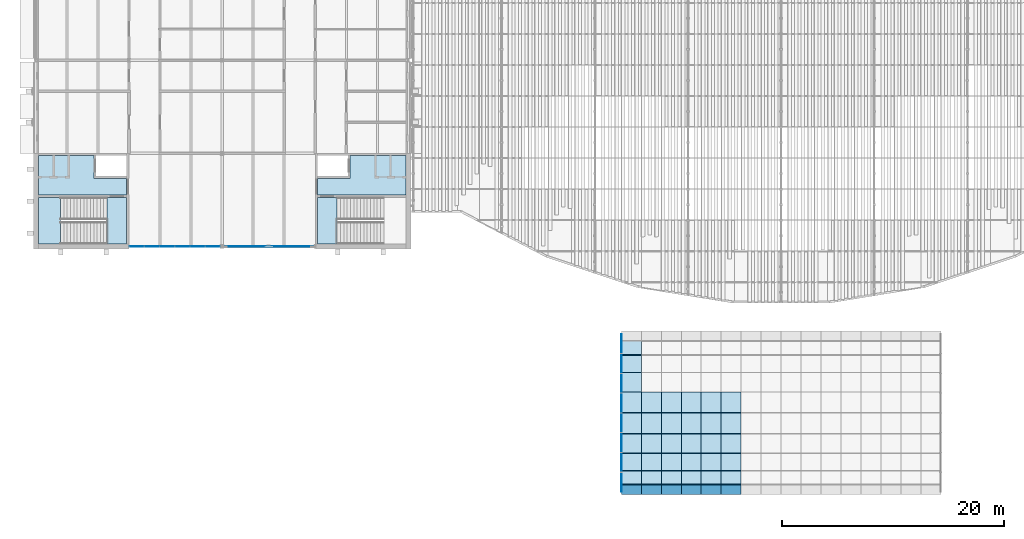
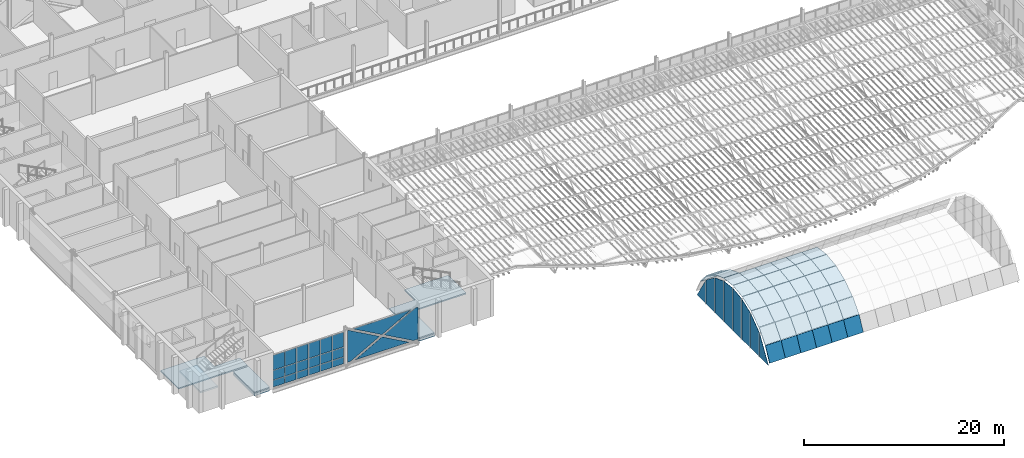
# One storey, part 66 of 129: 69 plates, 7 slabs, 4 elements without a shape of their own.
"""IFC4 building model written with IfcOpenShell, lengths in metres."""

from ifc_helpers import new_model, si_unit, direction, frame, origin, origin_2d, place, context, subcontext, project, spatial, polyline, rectangle, outline, extrude, material, layer, layer_set, type_object, element, aggregate, save


model = new_model("IFC4")

# Units and contexts
model_context = context("Model", 3, precision=1e-05, world=origin(), true_north=direction((0.0, 1.0)))
body_context = subcontext(model_context, "Body", "Model", "MODEL_VIEW")
ifc_project = project(units=[si_unit("LENGTHUNIT", "METRE"), si_unit("AREAUNIT", "SQUARE_METRE"), si_unit("VOLUMEUNIT", "CUBIC_METRE"), si_unit("PLANEANGLEUNIT", "RADIAN"), si_unit("MASSUNIT", "GRAM", prefix="KILO")], contexts=[model_context])

# Site, building, storey
site_placement = place(None, origin())
site = spatial("IfcSite", under=ifc_project, at=site_placement, CompositionType="ELEMENT")
building_placement = place(site_placement, origin())
building = spatial("IfcBuilding", under=site, at=building_placement, Name="Ardhachandra Cancer Care Centre", CompositionType="ELEMENT")
storey_placement = place(building_placement, frame((0.0, 0.0, 4.5)))
storey = spatial("IfcBuildingStorey", under=building, at=storey_placement, Name="L01", CompositionType="ELEMENT", Elevation=4.5)

# Slabs
ifc_material_1 = material(Name="Concrete M40", Category="concrete")
ifc_layer_1 = layer(ifc_material_1, 0.14990234375)
ifc_layer_set_1 = layer_set([ifc_layer_1], Name="Concrete M40")
slab_type_1 = type_object("IfcSlabType", Name="Core floor slab 150", PredefinedType="FLOOR", material=ifc_layer_set_1)
slab_1_placement = place(storey_placement, frame((0.0, 0.0, -0.14990234375)))
element("IfcSlab", 1, at=slab_1_placement, inside=storey, type_object=slab_type_1, Name="Core floor slab K1 L01 1", PredefinedType="FLOOR", context=body_context, shape_type="SweptSolid", body=[
    extrude(outline(polyline([(19.0, 29.625), (17.22509765625, 29.625), (17.22509765625, 33.824951171875), (19.0, 33.824951171875), (19.0, 29.625)])), origin(), (0.0, 0.0, 1.0), 0.14990234375),
])
slab_2_placement = place(storey_placement, frame((0.0, 0.0, -0.14990234375)))
element("IfcSlab", 2, at=slab_2_placement, inside=storey, type_object=slab_type_1, Name="Core floor slab K1 L01 2", PredefinedType="FLOOR", context=body_context, shape_type="SweptSolid", body=[
    extrude(outline(polyline([(11.02490234375, 37.60009765625), (16.050048828125, 37.60009765625), (16.050048828125, 35.75), (16.050048828125, 35.550048828125), (19.0, 35.550048828125), (19.0, 34.02490234375), (11.02490234375, 34.02490234375), (11.02490234375, 37.60009765625)])), origin(), (0.0, 0.0, 1.0), 0.14990234375),
])
slab_3_placement = place(storey_placement, frame((0.0, 0.0, -0.14990234375)))
element("IfcSlab", 3, at=slab_3_placement, inside=storey, type_object=slab_type_1, Name="Core floor slab K2 L01 1", PredefinedType="FLOOR", context=body_context, shape_type="SweptSolid", body=[
    extrude(outline(polyline([(36.199951171875, 29.625), (37.97509765625, 29.625), (37.97509765625, 33.824951171875), (36.199951171875, 33.824951171875), (36.199951171875, 29.625)])), origin(), (0.0, 0.0, 1.0), 0.14990234375),
])
slab_4_placement = place(storey_placement, frame((0.0, 0.0, -0.14990234375)))
element("IfcSlab", 4, at=slab_4_placement, inside=storey, type_object=slab_type_1, Name="Core floor slab K2 L01 2", PredefinedType="FLOOR", context=body_context, shape_type="SweptSolid", body=[
    extrude(outline(polyline([(44.175048828125, 37.60009765625), (39.14990234375, 37.60009765625), (39.14990234375, 35.75), (39.14990234375, 35.550048828125), (36.199951171875, 35.550048828125), (36.199951171875, 34.02490234375), (44.175048828125, 34.02490234375), (44.175048828125, 37.60009765625)])), origin(), (0.0, 0.0, 1.0), 0.14990234375),
])
ifc_material_2 = material(Name="Concrete M40", Category="concrete")
ifc_layer_2 = layer(ifc_material_2, 0.300048828125)
ifc_layer_set_2 = layer_set([ifc_layer_2], Name="Concrete M40")
slab_type_2 = type_object("IfcSlabType", Name="Core stair edge slab 300", PredefinedType="FLOOR", material=ifc_layer_set_2)
slab_5_placement = place(storey_placement, frame((0.0, 0.0, -0.449951171875)))
element("IfcSlab", 5, at=slab_5_placement, inside=storey, type_object=slab_type_2, Name="Core stair edge slab K1 L01", PredefinedType="FLOOR", context=body_context, shape_type="SweptSolid", body=[
    extrude(outline(polyline([(17.22509765625, 29.625), (17.22509765625, 33.824951171875), (19.0, 33.824951171875), (19.0, 29.625), (17.22509765625, 29.625)])), origin(), (0.0, 0.0, 1.0), 0.300048828125),
])
slab_6_placement = place(storey_placement, frame((0.0, 0.0, -0.449951171875)))
element("IfcSlab", 6, at=slab_6_placement, inside=storey, type_object=slab_type_2, Name="Core stair edge slab K2 L01", PredefinedType="FLOOR", context=body_context, shape_type="SweptSolid", body=[
    extrude(outline(polyline([(37.97509765625, 29.625), (37.97509765625, 33.824951171875), (36.199951171875, 33.824951171875), (36.199951171875, 29.625), (37.97509765625, 29.625)])), origin(), (0.0, 0.0, 1.0), 0.300048828125),
])

# Curtain wall, plates
ifc_material_3 = material(Name="Aluminium extrusion", Category="aluminium")
ifc_layer_3 = layer(ifc_material_3, 0.14990234375)
ifc_layer_set_3 = layer_set([ifc_layer_3], Name="Aluminium extrusion")
curtain_wall_type = type_object("IfcCurtainWallType", Name="Curtain wall run", PredefinedType="NOTDEFINED", material=ifc_layer_set_3)
curtain_wall_1_placement = place(storey_placement, origin())
curtain_wall_1 = element("IfcCurtainWall", 7, at=curtain_wall_1_placement, inside=storey, type_object=curtain_wall_type, Name="Curtain wall L01 s/0019200_0029400", PredefinedType="NOTDEFINED")
ifc_material_4 = material(Name="Low-iron double-glazed unit")
ifc_layer_4 = layer(ifc_material_4, 0.028076171875)
ifc_layer_set_4 = layer_set([ifc_layer_4], Name="Low-iron double-glazed unit")
plate_type_1 = type_object("IfcPlateType", Name="Curtain wall glazing 28", PredefinedType="CURTAIN_PANEL", material=ifc_layer_set_4)
plate_1_placement = place(storey_placement, frame((19.902587890625, 29.39990234375, 0.93017578125), z_axis=(0.0, 0.0, 1.0), x_axis=(1.0, 0.0, 0.0)))
plate_1 = element("IfcPlate", 8, at=plate_1_placement, type_object=plate_type_1, Name="CW panel 1.2", PredefinedType="CURTAIN_PANEL", context=body_context, shape_type="SweptSolid", body=[
    extrude(rectangle(XDim=1.284912109375, YDim=0.028076171875, at=origin_2d()), origin(), (0.0, 0.0, 1.0), 1.139892578125),
])
plate_2_placement = place(storey_placement, frame((19.902587890625, 29.39990234375, 2.1298828125), z_axis=(0.0, 0.0, 1.0), x_axis=(1.0, 0.0, 0.0)))
plate_2 = element("IfcPlate", 9, at=plate_2_placement, type_object=plate_type_1, Name="CW panel 1.3", PredefinedType="CURTAIN_PANEL", context=body_context, shape_type="SweptSolid", body=[
    extrude(rectangle(XDim=1.284912109375, YDim=0.028076171875, at=origin_2d()), origin(), (0.0, 0.0, 1.0), 1.803955078125),
])
plate_3_placement = place(storey_placement, frame((21.262451171875, 29.39990234375, 0.93017578125), z_axis=(0.0, 0.0, 1.0), x_axis=(1.0, 0.0, 0.0)))
plate_3 = element("IfcPlate", 10, at=plate_3_placement, type_object=plate_type_1, Name="CW panel 2.2", PredefinedType="CURTAIN_PANEL", context=body_context, shape_type="SweptSolid", body=[
    extrude(rectangle(XDim=1.31494140625, YDim=0.028076171875, at=origin_2d()), origin(), (0.0, 0.0, 1.0), 1.139892578125),
])
plate_4_placement = place(storey_placement, frame((21.262451171875, 29.39990234375, 2.1298828125), z_axis=(0.0, 0.0, 1.0), x_axis=(1.0, 0.0, 0.0)))
plate_4 = element("IfcPlate", 11, at=plate_4_placement, type_object=plate_type_1, Name="CW panel 2.3", PredefinedType="CURTAIN_PANEL", context=body_context, shape_type="SweptSolid", body=[
    extrude(rectangle(XDim=1.31494140625, YDim=0.028076171875, at=origin_2d()), origin(), (0.0, 0.0, 1.0), 1.803955078125),
])
plate_5_placement = place(storey_placement, frame((22.637451171875, 29.39990234375, 0.93017578125), z_axis=(0.0, 0.0, 1.0), x_axis=(1.0, 0.0, 0.0)))
plate_5 = element("IfcPlate", 12, at=plate_5_placement, type_object=plate_type_1, Name="CW panel 3.2", PredefinedType="CURTAIN_PANEL", context=body_context, shape_type="SweptSolid", body=[
    extrude(rectangle(XDim=1.31494140625, YDim=0.028076171875, at=origin_2d()), origin(), (0.0, 0.0, 1.0), 1.139892578125),
])
plate_6_placement = place(storey_placement, frame((22.637451171875, 29.39990234375, 2.1298828125), z_axis=(0.0, 0.0, 1.0), x_axis=(1.0, 0.0, 0.0)))
plate_6 = element("IfcPlate", 13, at=plate_6_placement, type_object=plate_type_1, Name="CW panel 3.3", PredefinedType="CURTAIN_PANEL", context=body_context, shape_type="SweptSolid", body=[
    extrude(rectangle(XDim=1.31494140625, YDim=0.028076171875, at=origin_2d()), origin(), (0.0, 0.0, 1.0), 1.803955078125),
])
plate_7_placement = place(storey_placement, frame((24.012451171875, 29.39990234375, 0.93017578125), z_axis=(0.0, 0.0, 1.0), x_axis=(1.0, 0.0, 0.0)))
plate_7 = element("IfcPlate", 14, at=plate_7_placement, type_object=plate_type_1, Name="CW panel 4.2", PredefinedType="CURTAIN_PANEL", context=body_context, shape_type="SweptSolid", body=[
    extrude(rectangle(XDim=1.31494140625, YDim=0.028076171875, at=origin_2d()), origin(), (0.0, 0.0, 1.0), 1.139892578125),
])
plate_8_placement = place(storey_placement, frame((24.012451171875, 29.39990234375, 2.1298828125), z_axis=(0.0, 0.0, 1.0), x_axis=(1.0, 0.0, 0.0)))
plate_8 = element("IfcPlate", 15, at=plate_8_placement, type_object=plate_type_1, Name="CW panel 4.3", PredefinedType="CURTAIN_PANEL", context=body_context, shape_type="SweptSolid", body=[
    extrude(rectangle(XDim=1.31494140625, YDim=0.028076171875, at=origin_2d()), origin(), (0.0, 0.0, 1.0), 1.803955078125),
])
plate_9_placement = place(storey_placement, frame((25.387451171875, 29.39990234375, 0.93017578125), z_axis=(0.0, 0.0, 1.0), x_axis=(1.0, 0.0, 0.0)))
plate_9 = element("IfcPlate", 16, at=plate_9_placement, type_object=plate_type_1, Name="CW panel 5.2", PredefinedType="CURTAIN_PANEL", context=body_context, shape_type="SweptSolid", body=[
    extrude(rectangle(XDim=1.31494140625, YDim=0.028076171875, at=origin_2d()), origin(), (0.0, 0.0, 1.0), 1.139892578125),
])
plate_10_placement = place(storey_placement, frame((25.387451171875, 29.39990234375, 2.1298828125), z_axis=(0.0, 0.0, 1.0), x_axis=(1.0, 0.0, 0.0)))
plate_10 = element("IfcPlate", 17, at=plate_10_placement, type_object=plate_type_1, Name="CW panel 5.3", PredefinedType="CURTAIN_PANEL", context=body_context, shape_type="SweptSolid", body=[
    extrude(rectangle(XDim=1.31494140625, YDim=0.028076171875, at=origin_2d()), origin(), (0.0, 0.0, 1.0), 1.803955078125),
])
plate_11_placement = place(storey_placement, frame((26.74755859375, 29.39990234375, 0.93017578125), z_axis=(0.0, 0.0, 1.0), x_axis=(1.0, 0.0, 0.0)))
plate_11 = element("IfcPlate", 18, at=plate_11_placement, type_object=plate_type_1, Name="CW panel 6.2", PredefinedType="CURTAIN_PANEL", context=body_context, shape_type="SweptSolid", body=[
    extrude(rectangle(XDim=1.284912109375, YDim=0.028076171875, at=origin_2d()), origin(), (0.0, 0.0, 1.0), 1.139892578125),
])
plate_12_placement = place(storey_placement, frame((26.74755859375, 29.39990234375, 2.1298828125), z_axis=(0.0, 0.0, 1.0), x_axis=(1.0, 0.0, 0.0)))
plate_12 = element("IfcPlate", 19, at=plate_12_placement, type_object=plate_type_1, Name="CW panel 6.3", PredefinedType="CURTAIN_PANEL", context=body_context, shape_type="SweptSolid", body=[
    extrude(rectangle(XDim=1.284912109375, YDim=0.028076171875, at=origin_2d()), origin(), (0.0, 0.0, 1.0), 1.803955078125),
])

curtain_wall_2_placement = place(storey_placement, origin())
curtain_wall_2 = element("IfcCurtainWall", 20, at=curtain_wall_2_placement, inside=storey, type_object=curtain_wall_type, Name="Curtain wall L01 s/0027600_0029400", PredefinedType="NOTDEFINED")
plate_13_placement = place(storey_placement, frame((35.93994140625, 29.39990234375, 3.93408203125), z_axis=(0.0, 1.0, 0.0), x_axis=(0.0, 0.0, -1.0)))
plate_13 = element("IfcPlate", 21, at=plate_13_placement, type_object=plate_type_1, Name="CW panel 1.1", PredefinedType="CURTAIN_PANEL", context=body_context, shape_type="SweptSolid", body=[
    extrude(outline(polyline([(0.0, 0.0), (3.8740234375, 0.0), (3.8740234375, 0.513427734375), (1.998046875, 3.886474609375), (0.0, 0.294189453125), (0.0, 0.0)])), origin(), (0.0, 0.0, 1.0), 0.028076171875),
])
plate_14_placement = place(storey_placement, frame((35.138671875, 29.39990234375, 3.93408203125), z_axis=(0.0, 1.0, 0.0), x_axis=(-0.87391902952, 0.0, -0.486071527497)))
plate_14 = element("IfcPlate", 22, at=plate_14_placement, type_object=plate_type_1, Name="CW panel 1.1", PredefinedType="CURTAIN_PANEL", context=body_context, shape_type="SweptSolid", body=[
    extrude(outline(polyline([(0.0, 0.0), (3.8203125, 0.0), (5.835693359375, 3.245849609375), (0.0, 0.0)])), frame((0.0, 0.0, -0.028076171875)), (0.0, 0.0, 1.0), 0.028076171875),
])
plate_15_placement = place(storey_placement, frame((27.81005859375, 29.39990234375, 0.06005859375), z_axis=(0.0, 1.0, 0.0), x_axis=(0.0, 0.0, 1.0)))
plate_15 = element("IfcPlate", 23, at=plate_15_placement, type_object=plate_type_1, Name="CW panel 1.1", PredefinedType="CURTAIN_PANEL", context=body_context, shape_type="SweptSolid", body=[
    extrude(outline(polyline([(0.0, 0.0), (3.8740234375, 0.0), (3.8740234375, 0.14404296875), (1.8759765625, 3.736328125), (0.0, 0.363525390625), (0.0, 0.0)])), origin(), (0.0, 0.0, 1.0), 0.028076171875),
])
plate_16_placement = place(storey_placement, frame((28.6806640625, 29.39990234375, 0.06005859375), z_axis=(0.0, 1.0, 0.0), x_axis=(0.873934564752, 0.0, 0.486043595299)))
plate_16 = element("IfcPlate", 24, at=plate_16_placement, type_object=plate_type_1, Name="CW panel 1.1", PredefinedType="CURTAIN_PANEL", context=body_context, shape_type="SweptSolid", body=[
    extrude(outline(polyline([(0.0, 0.0), (3.5693359375, 0.0), (5.452392578125, 3.0322265625), (0.0, 0.0)])), frame((0.0, 0.0, -0.028076171875)), (0.0, 0.0, 1.0), 0.028076171875),
])
aggregate(curtain_wall_2, [plate_13, plate_14, plate_15, plate_16])

curtain_wall_3_placement = place(storey_placement, origin())
curtain_wall_3 = element("IfcCurtainWall", 25, at=curtain_wall_3_placement, inside=storey, type_object=curtain_wall_type, Name="Gable glazing w", PredefinedType="NOTDEFINED")
plate_17_placement = place(storey_placement, frame((63.60009765625, 7.302490234375, 0.550048828125), z_axis=(1.0, 0.0, 0.0), x_axis=(0.0, 1.0, 0.0)))
plate_17 = element("IfcPlate", 26, at=plate_17_placement, type_object=plate_type_1, Name="Gable glazing w 1", PredefinedType="CURTAIN_PANEL", context=body_context, shape_type="SweptSolid", body=[
    extrude(outline(polyline([(0.0, 0.0), (1.721923828125, 0.0), (1.721923828125, 2.855712890625), (0.0, 0.049560546875), (0.0, 0.0)])), frame((0.0, 0.0, -0.01416015625)), (0.0, 0.0, 1.0), 0.028076171875),
])
plate_18_placement = place(storey_placement, frame((63.60009765625, 9.08447265625, 0.550048828125), z_axis=(1.0, 0.0, 0.0), x_axis=(0.0, 1.0, 0.0)))
plate_18 = element("IfcPlate", 27, at=plate_18_placement, type_object=plate_type_1, Name="Gable glazing w 2", PredefinedType="CURTAIN_PANEL", context=body_context, shape_type="SweptSolid", body=[
    extrude(outline(polyline([(0.0, 0.0), (1.721923828125, 0.0), (1.721923828125, 4.208740234375), (0.0, 2.916748046875), (0.0, 0.0)])), frame((0.0, 0.0, -0.01416015625)), (0.0, 0.0, 1.0), 0.028076171875),
])
plate_19_placement = place(storey_placement, frame((63.60009765625, 10.8662109375, 0.550048828125), z_axis=(1.0, 0.0, 0.0), x_axis=(0.0, 1.0, 0.0)))
plate_19 = element("IfcPlate", 28, at=plate_19_placement, type_object=plate_type_1, Name="Gable glazing w 3", PredefinedType="CURTAIN_PANEL", context=body_context, shape_type="SweptSolid", body=[
    extrude(outline(polyline([(0.0, 0.0), (1.721923828125, 0.0), (1.721923828125, 4.903564453125), (0.0, 4.2412109375), (0.0, 0.0)])), frame((0.0, 0.0, -0.01416015625)), (0.0, 0.0, 1.0), 0.028076171875),
])
plate_20_placement = place(storey_placement, frame((63.60009765625, 12.648193359375, 0.550048828125), z_axis=(1.0, 0.0, 0.0), x_axis=(0.0, 1.0, 0.0)))
plate_20 = element("IfcPlate", 29, at=plate_20_placement, type_object=plate_type_1, Name="Gable glazing w 4", PredefinedType="CURTAIN_PANEL", context=body_context, shape_type="SweptSolid", body=[
    extrude(outline(polyline([(0.0, 0.0), (1.721923828125, 0.0), (1.721923828125, 5.125732421875), (0.0, 4.918212890625), (0.0, 0.0)])), frame((0.0, 0.0, -0.01416015625)), (0.0, 0.0, 1.0), 0.028076171875),
])
plate_21_placement = place(storey_placement, frame((63.60009765625, 14.429931640625, 0.550048828125), z_axis=(1.0, 0.0, 0.0), x_axis=(0.0, 1.0, 0.0)))
plate_21 = element("IfcPlate", 30, at=plate_21_placement, type_object=plate_type_1, Name="Gable glazing w 5", PredefinedType="CURTAIN_PANEL", context=body_context, shape_type="SweptSolid", body=[
    extrude(outline(polyline([(0.0, 0.0), (1.721923828125, 0.0), (1.721923828125, 4.918212890625), (0.0, 5.125732421875), (0.0, 0.0)])), frame((0.0, 0.0, -0.01416015625)), (0.0, 0.0, 1.0), 0.028076171875),
])
plate_22_placement = place(storey_placement, frame((63.60009765625, 16.2119140625, 0.550048828125), z_axis=(1.0, 0.0, 0.0), x_axis=(0.0, 1.0, 0.0)))
plate_22 = element("IfcPlate", 31, at=plate_22_placement, type_object=plate_type_1, Name="Gable glazing w 6", PredefinedType="CURTAIN_PANEL", context=body_context, shape_type="SweptSolid", body=[
    extrude(outline(polyline([(0.0, 0.0), (1.7216796875, 0.0), (1.7216796875, 4.2412109375), (0.0, 4.903564453125), (0.0, 0.0)])), frame((0.0, 0.0, -0.01416015625)), (0.0, 0.0, 1.0), 0.028076171875),
])
plate_23_placement = place(storey_placement, frame((63.60009765625, 17.99365234375, 0.550048828125), z_axis=(1.0, 0.0, 0.0), x_axis=(0.0, 1.0, 0.0)))
plate_23 = element("IfcPlate", 32, at=plate_23_placement, type_object=plate_type_1, Name="Gable glazing w 7", PredefinedType="CURTAIN_PANEL", context=body_context, shape_type="SweptSolid", body=[
    extrude(outline(polyline([(0.0, 0.0), (1.721923828125, 0.0), (1.721923828125, 2.916748046875), (0.0, 4.208740234375), (0.0, 0.0)])), frame((0.0, 0.0, -0.01416015625)), (0.0, 0.0, 1.0), 0.028076171875),
])
plate_24_placement = place(storey_placement, frame((63.60009765625, 19.775634765625, 0.550048828125), z_axis=(1.0, 0.0, 0.0), x_axis=(0.0, 1.0, 0.0)))
plate_24 = element("IfcPlate", 33, at=plate_24_placement, type_object=plate_type_1, Name="Gable glazing w 8", PredefinedType="CURTAIN_PANEL", context=body_context, shape_type="SweptSolid", body=[
    extrude(outline(polyline([(0.0, 0.0), (1.7216796875, 0.0), (1.7216796875, 0.049560546875), (0.0, 2.855712890625), (0.0, 0.0)])), frame((0.0, 0.0, -0.01416015625)), (0.0, 0.0, 1.0), 0.028076171875),
])
aggregate(curtain_wall_3, [plate_17, plate_18, plate_19, plate_20, plate_21, plate_22, plate_23, plate_24])

# Plate
ifc_material_5 = material(Name="Aluminium composite spandrel panel", Category="aluminium")
ifc_layer_5 = layer(ifc_material_5, 0.028076171875)
ifc_layer_set_5 = layer_set([ifc_layer_5], Name="Aluminium composite spandrel panel")
plate_type_2 = type_object("IfcPlateType", Name="Curtain wall spandrel panel 28", PredefinedType="CURTAIN_PANEL", material=ifc_layer_set_5)
plate_25_placement = place(storey_placement, frame((19.902587890625, 29.39990234375, 0.06005859375), z_axis=(0.0, 0.0, 1.0), x_axis=(1.0, 0.0, 0.0)))
plate_25 = element("IfcPlate", 34, at=plate_25_placement, type_object=plate_type_2, Name="CW panel 1.1", PredefinedType="CURTAIN_PANEL", context=body_context, shape_type="SweptSolid", body=[
    extrude(rectangle(XDim=1.284912109375, YDim=0.028076171875, at=origin_2d()), origin(), (0.0, 0.0, 1.0), 0.81005859375),
])

plate_26_placement = place(storey_placement, frame((21.262451171875, 29.39990234375, 0.06005859375), z_axis=(0.0, 0.0, 1.0), x_axis=(1.0, 0.0, 0.0)))
plate_26 = element("IfcPlate", 35, at=plate_26_placement, type_object=plate_type_2, Name="CW panel 2.1", PredefinedType="CURTAIN_PANEL", context=body_context, shape_type="SweptSolid", body=[
    extrude(rectangle(XDim=1.31494140625, YDim=0.028076171875, at=origin_2d()), origin(), (0.0, 0.0, 1.0), 0.81005859375),
])

plate_27_placement = place(storey_placement, frame((22.637451171875, 29.39990234375, 0.06005859375), z_axis=(0.0, 0.0, 1.0), x_axis=(1.0, 0.0, 0.0)))
plate_27 = element("IfcPlate", 36, at=plate_27_placement, type_object=plate_type_2, Name="CW panel 3.1", PredefinedType="CURTAIN_PANEL", context=body_context, shape_type="SweptSolid", body=[
    extrude(rectangle(XDim=1.31494140625, YDim=0.028076171875, at=origin_2d()), origin(), (0.0, 0.0, 1.0), 0.81005859375),
])

plate_28_placement = place(storey_placement, frame((24.012451171875, 29.39990234375, 0.06005859375), z_axis=(0.0, 0.0, 1.0), x_axis=(1.0, 0.0, 0.0)))
plate_28 = element("IfcPlate", 37, at=plate_28_placement, type_object=plate_type_2, Name="CW panel 4.1", PredefinedType="CURTAIN_PANEL", context=body_context, shape_type="SweptSolid", body=[
    extrude(rectangle(XDim=1.31494140625, YDim=0.028076171875, at=origin_2d()), origin(), (0.0, 0.0, 1.0), 0.81005859375),
])

plate_29_placement = place(storey_placement, frame((25.387451171875, 29.39990234375, 0.06005859375), z_axis=(0.0, 0.0, 1.0), x_axis=(1.0, 0.0, 0.0)))
plate_29 = element("IfcPlate", 38, at=plate_29_placement, type_object=plate_type_2, Name="CW panel 5.1", PredefinedType="CURTAIN_PANEL", context=body_context, shape_type="SweptSolid", body=[
    extrude(rectangle(XDim=1.31494140625, YDim=0.028076171875, at=origin_2d()), origin(), (0.0, 0.0, 1.0), 0.81005859375),
])

plate_30_placement = place(storey_placement, frame((26.74755859375, 29.39990234375, 0.06005859375), z_axis=(0.0, 0.0, 1.0), x_axis=(1.0, 0.0, 0.0)))
plate_30 = element("IfcPlate", 39, at=plate_30_placement, type_object=plate_type_2, Name="CW panel 6.1", PredefinedType="CURTAIN_PANEL", context=body_context, shape_type="SweptSolid", body=[
    extrude(rectangle(XDim=1.284912109375, YDim=0.028076171875, at=origin_2d()), origin(), (0.0, 0.0, 1.0), 0.81005859375),
])

aggregate(curtain_wall_1, [plate_25, plate_1, plate_2, plate_26, plate_3, plate_4, plate_27, plate_5, plate_6, plate_28, plate_7, plate_8, plate_29, plate_9, plate_10, plate_30, plate_11, plate_12])

# Plates
ifc_material_6 = material(Name="Laminated heat-strengthened double-glazed unit")
ifc_layer_6 = layer(ifc_material_6, 0.035888671875)
ifc_layer_set_6 = layer_set([ifc_layer_6], Name="Laminated heat-strengthened double-glazed unit")
plate_type_3 = type_object("IfcPlateType", Name="Gridshell glazing 36", PredefinedType="SHEET", material=ifc_layer_set_6)
for number, where, z_axis, x_axis, name in (
    (40, (63.60009765625, 9.237060546875, 4.019287109375), (0.0, -0.570403184927, 0.821364843797), (1.0, 0.0, 0.0), "Glazed cell P 1.3"),
    (41, (63.60009765625, 10.78369140625, 5.09033203125), (0.0, -0.356164432165, 0.934423296617), (1.0, 0.0, 0.0), "Glazed cell P 1.4"),
    (42, (63.60009765625, 12.54248046875, 5.758056640625), (0.0, -0.121208850648, 0.992627026896), (1.0, 0.0, 0.0), "Glazed cell P 1.5"),
    (43, (63.60009765625, 14.41015625, 5.983642578125), (0.0, 0.121208850648, 0.992627026896), (1.0, 0.0, 0.0), "Glazed cell P 1.6"),
    (44, (63.60009765625, 16.27734375, 5.753173828125), (0.0, 0.356164432165, 0.934423296617), (1.0, 0.0, 0.0), "Glazed cell P 1.7"),
    (45, (63.60009765625, 18.034423828125, 5.080810546875), (0.0, 0.570403184927, 0.821364843797), (1.0, 0.0, 0.0), "Glazed cell P 1.8"),
):
    element("IfcPlate", number, at=place(storey_placement, frame(where, z_axis=z_axis, x_axis=x_axis)), inside=storey, type_object=plate_type_3, Name=name, PredefinedType="SHEET", context=body_context, shape_type="SweptSolid", body=[
        extrude(outline(polyline([(0.0, 0.0), (1.7998046875, 0.0), (1.7998046875, 1.861083984375), (0.0, 1.861083984375), (0.0, 0.0)])), origin(), (0.0, 0.0, 1.0), 0.035888671875),
    ])
for number, where, z_axis, x_axis, name in (
    (46, (65.39990234375, 9.237060546875, 4.019287109375), (0.0, -0.570403184927, 0.821364843797), (1.0, 0.0, 0.0), "Glazed cell P 2.3"),
    (47, (65.39990234375, 10.78369140625, 5.09033203125), (0.0, -0.356164432165, 0.934423296617), (1.0, 0.0, 0.0), "Glazed cell P 2.4"),
    (48, (65.39990234375, 12.54248046875, 5.758056640625), (0.0, -0.121208850648, 0.992627026896), (1.0, 0.0, 0.0), "Glazed cell P 2.5"),
    (49, (65.39990234375, 14.41015625, 5.983642578125), (0.0, 0.121208850648, 0.992627026896), (1.0, 0.0, 0.0), "Glazed cell P 2.6"),
    (50, (67.199951171875, 9.237060546875, 4.019287109375), (0.0, -0.570403184927, 0.821364843797), (1.0, 0.0, 0.0), "Glazed cell P 3.3"),
    (51, (67.199951171875, 10.78369140625, 5.09033203125), (0.0, -0.356164432165, 0.934423296617), (1.0, 0.0, 0.0), "Glazed cell P 3.4"),
    (52, (67.199951171875, 12.54248046875, 5.758056640625), (0.0, -0.121208850648, 0.992627026896), (1.0, 0.0, 0.0), "Glazed cell P 3.5"),
    (53, (67.199951171875, 14.41015625, 5.983642578125), (0.0, 0.121208850648, 0.992627026896), (1.0, 0.0, 0.0), "Glazed cell P 3.6"),
    (54, (69.0, 9.237060546875, 4.019287109375), (0.0, -0.570403184927, 0.821364843797), (1.0, 0.0, 0.0), "Glazed cell P 4.3"),
    (55, (69.0, 10.78369140625, 5.09033203125), (0.0, -0.356164432165, 0.934423296617), (1.0, 0.0, 0.0), "Glazed cell P 4.4"),
    (56, (69.0, 12.54248046875, 5.758056640625), (0.0, -0.121208850648, 0.992627026896), (1.0, 0.0, 0.0), "Glazed cell P 4.5"),
    (57, (69.0, 14.41015625, 5.983642578125), (0.0, 0.121208850648, 0.992627026896), (1.0, 0.0, 0.0), "Glazed cell P 4.6"),
    (58, (70.800048828125, 9.237060546875, 4.019287109375), (0.0, -0.570403184927, 0.821364843797), (1.0, 0.0, 0.0), "Glazed cell P 5.3"),
    (59, (70.800048828125, 10.78369140625, 5.09033203125), (0.0, -0.356164432165, 0.934423296617), (1.0, 0.0, 0.0), "Glazed cell P 5.4"),
    (60, (70.800048828125, 12.54248046875, 5.758056640625), (0.0, -0.121208850648, 0.992627026896), (1.0, 0.0, 0.0), "Glazed cell P 5.5"),
    (61, (70.800048828125, 14.41015625, 5.983642578125), (0.0, 0.121208850648, 0.992627026896), (1.0, 0.0, 0.0), "Glazed cell P 5.6"),
):
    element("IfcPlate", number, at=place(storey_placement, frame(where, z_axis=z_axis, x_axis=x_axis)), inside=storey, type_object=plate_type_3, Name=name, PredefinedType="SHEET", context=body_context, shape_type="SweptSolid", body=[
        extrude(outline(polyline([(0.0, 0.0), (1.800048828125, 0.0), (1.800048828125, 1.861083984375), (0.0, 1.861083984375), (0.0, 0.0)])), origin(), (0.0, 0.0, 1.0), 0.035888671875),
    ])
for number, where, z_axis, x_axis, name in (
    (62, (72.60009765625, 9.237060546875, 4.019287109375), (0.0, -0.570403184927, 0.821364843797), (1.0, 0.0, 0.0), "Glazed cell P 6.3"),
    (63, (72.60009765625, 10.78369140625, 5.09033203125), (0.0, -0.356164432165, 0.934423296617), (1.0, 0.0, 0.0), "Glazed cell P 6.4"),
    (64, (72.60009765625, 12.54248046875, 5.758056640625), (0.0, -0.121208850648, 0.992627026896), (1.0, 0.0, 0.0), "Glazed cell P 6.5"),
    (65, (72.60009765625, 14.41015625, 5.983642578125), (0.0, 0.121208850648, 0.992627026896), (1.0, 0.0, 0.0), "Glazed cell P 6.6"),
):
    element("IfcPlate", number, at=place(storey_placement, frame(where, z_axis=z_axis, x_axis=x_axis)), inside=storey, type_object=plate_type_3, Name=name, PredefinedType="SHEET", context=body_context, shape_type="SweptSolid", body=[
        extrude(outline(polyline([(0.0, 0.0), (1.7998046875, 0.0), (1.7998046875, 1.861083984375), (0.0, 1.861083984375), (0.0, 0.0)])), origin(), (0.0, 0.0, 1.0), 0.035888671875),
    ])
ifc_material_7 = material(Name="Insulated metal roof panel (galvalume skins, PIR core)")
ifc_layer_7 = layer(ifc_material_7, 0.10009765625)
ifc_layer_set_7 = layer_set([ifc_layer_7], Name="Insulated metal roof panel (galvalume skins, PIR core)")
plate_type_4 = type_object("IfcPlateType", Name="Gridshell insulated panel 100", PredefinedType="SHEET", material=ifc_layer_set_7)
plate_31_placement = place(storey_placement, frame((63.60009765625, 7.125244140625, 0.938720703125), z_axis=(0.0, -0.8878259961, 0.460179313582), x_axis=(1.0, 0.0, 0.0)))
element("IfcPlate", 66, at=plate_31_placement, inside=storey, type_object=plate_type_4, Name="Roof cell P 1.1", PredefinedType="SHEET", context=body_context, shape_type="SweptSolid", body=[
    extrude(outline(polyline([(0.0, 0.0), (1.7998046875, 0.0), (1.7998046875, 1.861083984375), (0.0, 1.861083984375), (0.0, 0.0)])), origin(), (0.0, 0.0, 1.0), 0.10009765625),
])
plate_32_placement = place(storey_placement, frame((63.60009765625, 7.9931640625, 2.60791015625), z_axis=(0.0, -0.751095909647, 0.660193103956), x_axis=(1.0, 0.0, 0.0)))
element("IfcPlate", 67, at=plate_32_placement, inside=storey, type_object=plate_type_4, Name="Roof cell P 1.2", PredefinedType="SHEET", context=body_context, shape_type="SweptSolid", body=[
    extrude(outline(polyline([(0.0, 0.0), (1.7998046875, 0.0), (1.7998046875, 1.861328125), (0.0, 1.861328125), (0.0, 0.0)])), origin(), (0.0, 0.0, 1.0), 0.10009765625),
])
plate_33_placement = place(storey_placement, frame((63.60009765625, 19.578125, 4.005859375), z_axis=(0.0, 0.751160956112, 0.66011909381), x_axis=(1.0, 0.0, 0.0)))
element("IfcPlate", 68, at=plate_33_placement, inside=storey, type_object=plate_type_4, Name="Roof cell P 1.9", PredefinedType="SHEET", context=body_context, shape_type="SweptSolid", body=[
    extrude(outline(polyline([(0.0, 0.0), (1.7998046875, 0.0), (1.7998046875, 1.861083984375), (0.0, 1.861083984375), (0.0, 0.0)])), origin(), (0.0, 0.0, 1.0), 0.10009765625),
])
plate_34_placement = place(storey_placement, frame((65.39990234375, 7.125244140625, 0.938720703125), z_axis=(0.0, -0.8878259961, 0.460179313582), x_axis=(1.0, 0.0, 0.0)))
element("IfcPlate", 69, at=plate_34_placement, inside=storey, type_object=plate_type_4, Name="Roof cell P 2.1", PredefinedType="SHEET", context=body_context, shape_type="SweptSolid", body=[
    extrude(outline(polyline([(0.0, 0.0), (1.800048828125, 0.0), (1.800048828125, 1.861083984375), (0.0, 1.861083984375), (0.0, 0.0)])), origin(), (0.0, 0.0, 1.0), 0.10009765625),
])
plate_35_placement = place(storey_placement, frame((65.39990234375, 7.9931640625, 2.60791015625), z_axis=(0.0, -0.751095909647, 0.660193103956), x_axis=(1.0, 0.0, 0.0)))
element("IfcPlate", 70, at=plate_35_placement, inside=storey, type_object=plate_type_4, Name="Roof cell P 2.2", PredefinedType="SHEET", context=body_context, shape_type="SweptSolid", body=[
    extrude(outline(polyline([(0.0, 0.0), (1.800048828125, 0.0), (1.800048828125, 1.861328125), (0.0, 1.861328125), (0.0, 0.0)])), origin(), (0.0, 0.0, 1.0), 0.10009765625),
])
plate_36_placement = place(storey_placement, frame((67.199951171875, 7.125244140625, 0.938720703125), z_axis=(0.0, -0.8878259961, 0.460179313582), x_axis=(1.0, 0.0, 0.0)))
element("IfcPlate", 71, at=plate_36_placement, inside=storey, type_object=plate_type_4, Name="Roof cell P 3.1", PredefinedType="SHEET", context=body_context, shape_type="SweptSolid", body=[
    extrude(outline(polyline([(0.0, 0.0), (1.800048828125, 0.0), (1.800048828125, 1.861083984375), (0.0, 1.861083984375), (0.0, 0.0)])), origin(), (0.0, 0.0, 1.0), 0.10009765625),
])
plate_37_placement = place(storey_placement, frame((67.199951171875, 7.9931640625, 2.60791015625), z_axis=(0.0, -0.751095909647, 0.660193103956), x_axis=(1.0, 0.0, 0.0)))
element("IfcPlate", 72, at=plate_37_placement, inside=storey, type_object=plate_type_4, Name="Roof cell P 3.2", PredefinedType="SHEET", context=body_context, shape_type="SweptSolid", body=[
    extrude(outline(polyline([(0.0, 0.0), (1.800048828125, 0.0), (1.800048828125, 1.861328125), (0.0, 1.861328125), (0.0, 0.0)])), origin(), (0.0, 0.0, 1.0), 0.10009765625),
])
plate_38_placement = place(storey_placement, frame((69.0, 7.125244140625, 0.938720703125), z_axis=(0.0, -0.8878259961, 0.460179313582), x_axis=(1.0, 0.0, 0.0)))
element("IfcPlate", 73, at=plate_38_placement, inside=storey, type_object=plate_type_4, Name="Roof cell P 4.1", PredefinedType="SHEET", context=body_context, shape_type="SweptSolid", body=[
    extrude(outline(polyline([(0.0, 0.0), (1.800048828125, 0.0), (1.800048828125, 1.861083984375), (0.0, 1.861083984375), (0.0, 0.0)])), origin(), (0.0, 0.0, 1.0), 0.10009765625),
])
plate_39_placement = place(storey_placement, frame((69.0, 7.9931640625, 2.60791015625), z_axis=(0.0, -0.751095909647, 0.660193103956), x_axis=(1.0, 0.0, 0.0)))
element("IfcPlate", 74, at=plate_39_placement, inside=storey, type_object=plate_type_4, Name="Roof cell P 4.2", PredefinedType="SHEET", context=body_context, shape_type="SweptSolid", body=[
    extrude(outline(polyline([(0.0, 0.0), (1.800048828125, 0.0), (1.800048828125, 1.861328125), (0.0, 1.861328125), (0.0, 0.0)])), origin(), (0.0, 0.0, 1.0), 0.10009765625),
])
plate_40_placement = place(storey_placement, frame((70.800048828125, 7.125244140625, 0.938720703125), z_axis=(0.0, -0.8878259961, 0.460179313582), x_axis=(1.0, 0.0, 0.0)))
element("IfcPlate", 75, at=plate_40_placement, inside=storey, type_object=plate_type_4, Name="Roof cell P 5.1", PredefinedType="SHEET", context=body_context, shape_type="SweptSolid", body=[
    extrude(outline(polyline([(0.0, 0.0), (1.800048828125, 0.0), (1.800048828125, 1.861083984375), (0.0, 1.861083984375), (0.0, 0.0)])), origin(), (0.0, 0.0, 1.0), 0.10009765625),
])
plate_41_placement = place(storey_placement, frame((70.800048828125, 7.9931640625, 2.60791015625), z_axis=(0.0, -0.751095909647, 0.660193103956), x_axis=(1.0, 0.0, 0.0)))
element("IfcPlate", 76, at=plate_41_placement, inside=storey, type_object=plate_type_4, Name="Roof cell P 5.2", PredefinedType="SHEET", context=body_context, shape_type="SweptSolid", body=[
    extrude(outline(polyline([(0.0, 0.0), (1.800048828125, 0.0), (1.800048828125, 1.861328125), (0.0, 1.861328125), (0.0, 0.0)])), origin(), (0.0, 0.0, 1.0), 0.10009765625),
])
plate_42_placement = place(storey_placement, frame((72.60009765625, 7.125244140625, 0.938720703125), z_axis=(0.0, -0.8878259961, 0.460179313582), x_axis=(1.0, 0.0, 0.0)))
element("IfcPlate", 77, at=plate_42_placement, inside=storey, type_object=plate_type_4, Name="Roof cell P 6.1", PredefinedType="SHEET", context=body_context, shape_type="SweptSolid", body=[
    extrude(outline(polyline([(0.0, 0.0), (1.7998046875, 0.0), (1.7998046875, 1.861083984375), (0.0, 1.861083984375), (0.0, 0.0)])), origin(), (0.0, 0.0, 1.0), 0.10009765625),
])
plate_43_placement = place(storey_placement, frame((72.60009765625, 7.9931640625, 2.60791015625), z_axis=(0.0, -0.751095909647, 0.660193103956), x_axis=(1.0, 0.0, 0.0)))
element("IfcPlate", 78, at=plate_43_placement, inside=storey, type_object=plate_type_4, Name="Roof cell P 6.2", PredefinedType="SHEET", context=body_context, shape_type="SweptSolid", body=[
    extrude(outline(polyline([(0.0, 0.0), (1.7998046875, 0.0), (1.7998046875, 1.861328125), (0.0, 1.861328125), (0.0, 0.0)])), origin(), (0.0, 0.0, 1.0), 0.10009765625),
])

# Stair, slab
ifc_material_8 = material(Name="Concrete M40", Category="concrete")
stair_type = type_object("IfcStairType", Name="Dog-leg stair 2000", PredefinedType="HALF_TURN_STAIR", material=ifc_material_8)
stair_placement = place(storey_placement, origin())
stair = element("IfcStair", 79, at=stair_placement, inside=storey, type_object=stair_type, Name="Stair K1 L01-L02", PredefinedType="HALF_TURN_STAIR")
ifc_material_9 = material(Name="Concrete M40", Category="concrete")
ifc_layer_8 = layer(ifc_material_9, 0.199951171875)
ifc_layer_set_8 = layer_set([ifc_layer_8], Name="Concrete M40")
slab_type_3 = type_object("IfcSlabType", Name="Stair landing 200", PredefinedType="LANDING", material=ifc_layer_set_8)
slab_7_placement = place(storey_placement, frame((0.0, 0.0, 2.050048828125)))
slab_7 = element("IfcSlab", 80, at=slab_7_placement, type_object=slab_type_3, Name="stair K1 L01-L02 landing 1", PredefinedType="LANDING", context=body_context, shape_type="SweptSolid", body=[
    extrude(outline(polyline([(11.02490234375, 29.625), (13.02490234375, 29.625), (13.02490234375, 33.824951171875), (11.02490234375, 33.824951171875), (11.02490234375, 29.625)])), origin(), (0.0, 0.0, 1.0), 0.199951171875),
])
aggregate(stair, [slab_7])

save(model, "model.ifc")
